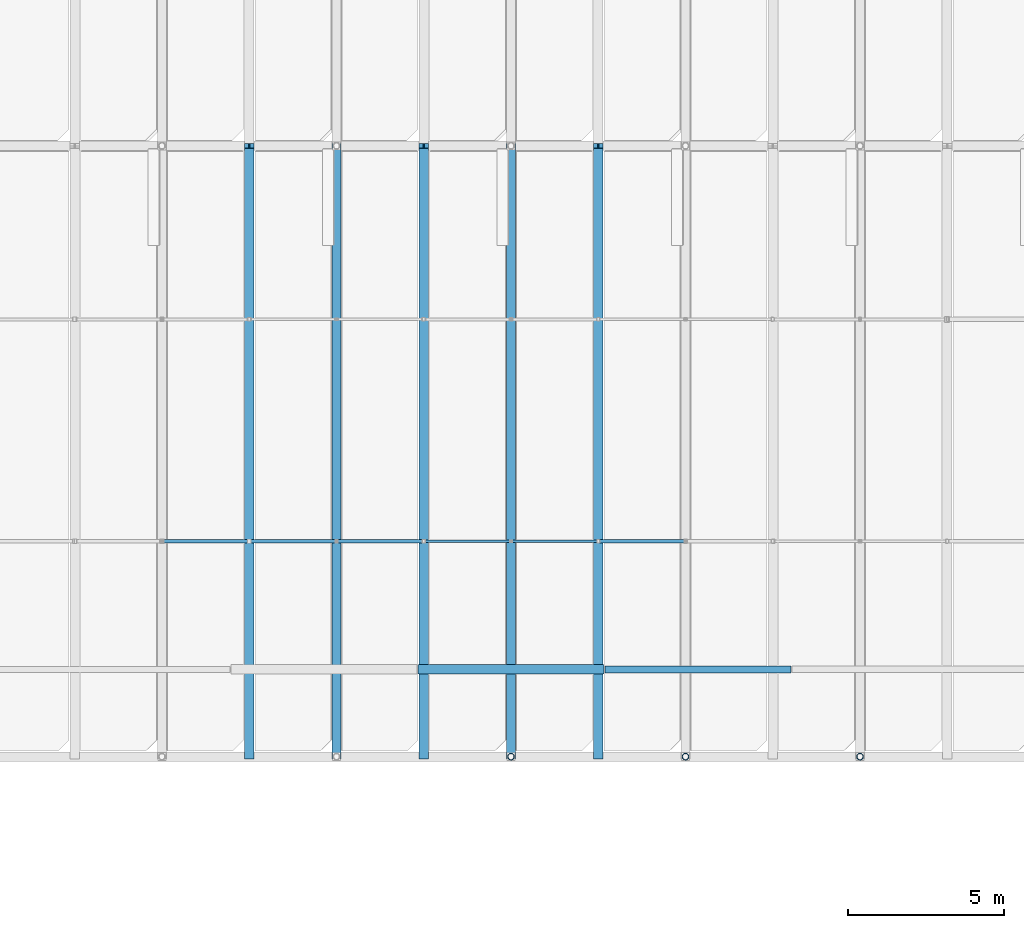
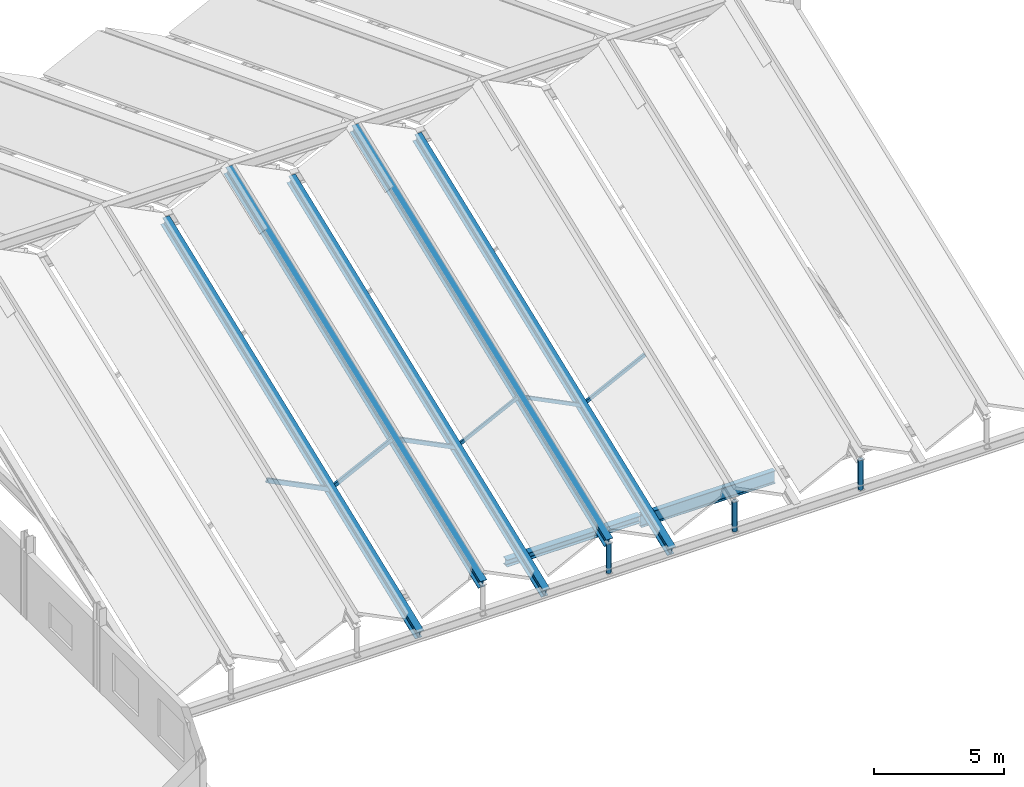
# One storey, part 13 of 49: 9 members, 7 beams.
"""IFC4 building model written with IfcOpenShell, lengths in metres."""

from ifc_helpers import new_model, si_unit, direction, frame, origin, origin_2d, place, context, subcontext, project, spatial, hollow_rectangle, hollow_circle, i_section, extrude, material, material_profile, profile_set, type_object, element, save


model = new_model("IFC4")

# Units and contexts
model_context = context("Model", 3, precision=1e-05, world=origin(), true_north=direction((0.0, 1.0)))
body_context = subcontext(model_context, "Body", "Model", "MODEL_VIEW")
ifc_project = project(units=[si_unit("LENGTHUNIT", "METRE"), si_unit("AREAUNIT", "SQUARE_METRE"), si_unit("VOLUMEUNIT", "CUBIC_METRE"), si_unit("PLANEANGLEUNIT", "RADIAN"), si_unit("MASSUNIT", "GRAM", prefix="KILO")], contexts=[model_context])

# Site, building, storey
site_placement = place(None, origin())
site = spatial("IfcSite", under=ifc_project, at=site_placement, CompositionType="ELEMENT")
building_placement = place(site_placement, origin())
building = spatial("IfcBuilding", under=site, at=building_placement, Name="Vinh Khe Railworks Police Headquarters", CompositionType="ELEMENT")
storey_placement = place(building_placement, frame((0.0, 0.0, 17.10009765625)))
storey = spatial("IfcBuildingStorey", under=building, at=storey_placement, Name="L04", CompositionType="ELEMENT", Elevation=17.10009765625)

# Members
ifc_material = material(Name="Steel S355JR", Category="steel")
ifc_material_profile_1 = material_profile(ifc_material, hollow_rectangle(XDim=0.10009765625, YDim=0.14990234375, WallThickness=0.008056640625, at=origin_2d()), Name="RHS 150x100x8")
ifc_profile_set_1 = profile_set([ifc_material_profile_1], Name="Steel S355JR")
member_type_1 = type_object("IfcMemberType", Name="Roof Purlin RHS 150x100x8", PredefinedType="PURLIN", material=ifc_profile_set_1)
member_1_placement = place(storey_placement, frame((46.0, 29.31396484375, 2.484619140625), z_axis=(0.894411593428, 0.0, 0.447244789285), x_axis=(0.0, 1.0, 0.0)))
element("IfcMember", 1, at=member_1_placement, inside=storey, type_object=member_type_1, Name="Folded Roof Purlin 033", PredefinedType="PURLIN", context=body_context, shape_type="SweptSolid", body=[
    extrude(hollow_rectangle(XDim=0.10009765625, YDim=0.14990234375, WallThickness=0.008056640625, at=origin_2d()), origin(), (0.0, 0.0, 1.0), 3.130615234375),
])
ifc_material_profile_2 = material_profile(ifc_material, hollow_rectangle(XDim=0.080078125, YDim=0.159912109375, WallThickness=0.008056640625, at=origin_2d()), Name="RHS 160x80x8")
ifc_profile_set_2 = profile_set([ifc_material_profile_2], Name="Steel S355JR")
member_type_2 = type_object("IfcMemberType", Name="Roof Purlin RHS 160x80x8", PredefinedType="PURLIN", material=ifc_profile_set_2)
for number, where, z_axis, x_axis, name in (
    (2, (40.39990234375, 29.31396484375, 2.479736328125), (0.894442788028, 0.0, 0.447182400083), (0.0, 1.0, 0.0), "Folded Roof Purlin 025"),
    (3, (43.199951171875, 29.31396484375, 3.879638671875), (0.894442788028, 0.0, -0.447182400083), (0.0, 1.0, 0.0), "Folded Roof Purlin 029"),
):
    element("IfcMember", number, at=place(storey_placement, frame(where, z_axis=z_axis, x_axis=x_axis)), inside=storey, type_object=member_type_2, Name=name, PredefinedType="PURLIN", context=body_context, shape_type="SweptSolid", body=[
        extrude(hollow_rectangle(XDim=0.080078125, YDim=0.159912109375, WallThickness=0.008056640625, at=origin_2d()), origin(), (0.0, 0.0, 1.0), 3.130615234375),
    ])
ifc_material_profile_3 = material_profile(ifc_material, hollow_rectangle(XDim=0.10009765625, YDim=0.179931640625, WallThickness=0.008056640625, at=origin_2d()), Name="RHS 180x100x8")
ifc_profile_set_3 = profile_set([ifc_material_profile_3], Name="Steel S355JR")
member_type_3 = type_object("IfcMemberType", Name="Roof Purlin RHS 180x100x8", PredefinedType="PURLIN", material=ifc_profile_set_3)
member_2_placement = place(storey_placement, frame((34.800048828125, 29.31396484375, 2.4697265625), z_axis=(0.894442788028, 0.0, 0.447182400083), x_axis=(0.0, 1.0, 0.0)))
element("IfcMember", 4, at=member_2_placement, inside=storey, type_object=member_type_3, Name="Folded Roof Purlin 017", PredefinedType="PURLIN", context=body_context, shape_type="SweptSolid", body=[
    extrude(hollow_rectangle(XDim=0.10009765625, YDim=0.179931640625, WallThickness=0.008056640625, at=origin_2d()), origin(), (0.0, 0.0, 1.0), 3.130615234375),
])
member_3_placement = place(storey_placement, frame((37.60009765625, 29.31396484375, 3.86962890625), z_axis=(0.894427191, 0.0, -0.4472135955), x_axis=(0.0, 1.0, 0.0)))
element("IfcMember", 5, at=member_3_placement, inside=storey, type_object=member_type_3, Name="Folded Roof Purlin 021", PredefinedType="PURLIN", context=body_context, shape_type="SweptSolid", body=[
    extrude(hollow_rectangle(XDim=0.10009765625, YDim=0.179931640625, WallThickness=0.008056640625, at=origin_2d()), origin(), (0.0, 0.0, 1.0), 3.13037109375),
])
ifc_material_profile_4 = material_profile(ifc_material, hollow_rectangle(XDim=0.10009765625, YDim=0.199951171875, WallThickness=0.008056640625, at=origin_2d()), Name="RHS 200x100x8")
ifc_profile_set_4 = profile_set([ifc_material_profile_4], Name="Steel S355JR")
member_type_4 = type_object("IfcMemberType", Name="Roof Purlin RHS 200x100x8", PredefinedType="PURLIN", material=ifc_profile_set_4)
member_4_placement = place(storey_placement, frame((32.0, 29.31396484375, 3.859619140625), z_axis=(0.894442788028, 0.0, -0.447182400083), x_axis=(0.0, 1.0, 0.0)))
element("IfcMember", 6, at=member_4_placement, inside=storey, type_object=member_type_4, Name="Folded Roof Purlin 013", PredefinedType="PURLIN", context=body_context, shape_type="SweptSolid", body=[
    extrude(hollow_rectangle(XDim=0.10009765625, YDim=0.199951171875, WallThickness=0.008056640625, at=origin_2d()), origin(), (0.0, 0.0, 1.0), 3.130615234375),
])
ifc_material_profile_5 = material_profile(ifc_material, hollow_circle(Radius=0.109619140625, WallThickness=0.012451171875, at=origin_2d()), Name="CHS 219.1x12.5")
ifc_profile_set_5 = profile_set([ifc_material_profile_5], Name="Steel S355JR")
member_type_5 = type_object("IfcMemberType", Name="Roof Strut CHS 219.1x12.5", PredefinedType="STRUT", material=ifc_profile_set_5)
for number, where, z_axis, x_axis, name in (
    (7, (43.199951171875, 22.39990234375, -0.191162109375), (0.0, 0.0, 1.0), (1.0, 0.0, 0.0), "Folded Roof Strut 4S"),
    (8, (48.800048828125, 22.39990234375, -0.191162109375), (0.0, 0.0, 1.0), (1.0, 0.0, 0.0), "Folded Roof Strut 5S"),
    (9, (54.39990234375, 22.39990234375, -0.191162109375), (0.0, 0.0, 1.0), (1.0, 0.0, 0.0), "Folded Roof Strut 6S"),
):
    element("IfcMember", number, at=place(storey_placement, frame(where, z_axis=z_axis, x_axis=x_axis)), inside=storey, type_object=member_type_5, Name=name, PredefinedType="STRUT", context=body_context, shape_type="SweptSolid", body=[
        extrude(hollow_circle(Radius=0.109619140625, WallThickness=0.012451171875, at=origin_2d()), origin(), (0.0, 0.0, 1.0), 1.39990234375),
    ])

# Beams
ifc_material_profile_6 = material_profile(ifc_material, i_section(OverallWidth=0.300048828125, OverallDepth=0.330078125, WebThickness=0.009521484375, FlangeThickness=0.0166015625, FilletRadius=0.027099609375, at=origin_2d()), Name="HEA 340")
ifc_profile_set_6 = profile_set([ifc_material_profile_6], Name="Steel S355JR")
beam_type_1 = type_object("IfcBeamType", Name="Steel Girder HEA 340", PredefinedType="BEAM", material=ifc_profile_set_6)
beam_1_placement = place(storey_placement, frame((40.219970703125, 25.199951171875, -0.364990234375), z_axis=(1.0, 0.0, 0.0), x_axis=(0.0, 1.0, 0.0)))
element("IfcBeam", 10, at=beam_1_placement, inside=storey, type_object=beam_type_1, Name="Girder BM-L04-EW-SB-16-1292", PredefinedType="BEAM", context=body_context, shape_type="SweptSolid", body=[
    extrude(i_section(OverallWidth=0.300048828125, OverallDepth=0.330078125, WebThickness=0.009521484375, FlangeThickness=0.0166015625, FilletRadius=0.027099609375, at=origin_2d()), origin(), (0.0, 0.0, 1.0), 5.9599609375),
])
ifc_material_profile_7 = material_profile(ifc_material, i_section(OverallWidth=0.300048828125, OverallDepth=0.43994140625, WebThickness=0.011474609375, FlangeThickness=0.02099609375, FilletRadius=0.027099609375, at=origin_2d()), Name="HEA 450")
ifc_profile_set_7 = profile_set([ifc_material_profile_7], Name="Steel S355JR")
beam_type_2 = type_object("IfcBeamType", Name="Steel Girder HEA 450", PredefinedType="BEAM", material=ifc_profile_set_7)
for number, where, z_axis, x_axis, name in (
    (11, (37.60009765625, 22.39990234375, 1.208740234375), (0.0, 0.93236035026, 0.361530326893), (-1.0, 0.0, 0.0), "Folded Roof Ridge Girder 011 (S)"),
    (12, (43.199951171875, 22.39990234375, 1.208740234375), (0.0, 0.93236035026, 0.361530326893), (-1.0, 0.0, 0.0), "Folded Roof Ridge Girder 015 (S)"),
):
    element("IfcBeam", number, at=place(storey_placement, frame(where, z_axis=z_axis, x_axis=x_axis)), inside=storey, type_object=beam_type_2, Name=name, PredefinedType="BEAM", context=body_context, shape_type="SweptSolid", body=[
        extrude(i_section(OverallWidth=0.300048828125, OverallDepth=0.43994140625, WebThickness=0.011474609375, FlangeThickness=0.02099609375, FilletRadius=0.027099609375, at=origin_2d()), origin(), (0.0, 0.0, 1.0), 21.02197265625),
    ])
ifc_material_profile_8 = material_profile(ifc_material, i_section(OverallWidth=0.300048828125, OverallDepth=0.449951171875, WebThickness=0.013916015625, FlangeThickness=0.02587890625, FilletRadius=0.027099609375, at=origin_2d()), Name="HEB 450")
ifc_profile_set_8 = profile_set([ifc_material_profile_8], Name="Steel S355JR")
beam_type_3 = type_object("IfcBeamType", Name="Steel Girder HEB 450", PredefinedType="BEAM", material=ifc_profile_set_8)
for number, where, z_axis, x_axis, name in (
    (13, (34.800048828125, 22.39990234375, -0.191162109375), (0.0, 0.932364264883, 0.361520231204), (-1.0, 0.0, 0.0), "Folded Roof Valley Girder 009 (S)"),
    (14, (40.39990234375, 22.39990234375, -0.191162109375), (0.0, 0.932364264883, 0.361520231204), (-1.0, 0.0, 0.0), "Folded Roof Valley Girder 013 (S)"),
    (15, (46.0, 22.39990234375, -0.191162109375), (0.0, 0.932364264883, 0.361520231204), (-1.0, 0.0, 0.0), "Folded Roof Valley Girder 017 (S)"),
):
    element("IfcBeam", number, at=place(storey_placement, frame(where, z_axis=z_axis, x_axis=x_axis)), inside=storey, type_object=beam_type_3, Name=name, PredefinedType="BEAM", context=body_context, shape_type="SweptSolid", body=[
        extrude(i_section(OverallWidth=0.300048828125, OverallDepth=0.449951171875, WebThickness=0.013916015625, FlangeThickness=0.02587890625, FilletRadius=0.027099609375, at=origin_2d()), origin(), (0.0, 0.0, 1.0), 21.02197265625),
    ])
ifc_material_profile_9 = material_profile(ifc_material, i_section(OverallWidth=0.219970703125, OverallDepth=0.60009765625, WebThickness=0.011962890625, FlangeThickness=0.01904296875, FilletRadius=0.02392578125, at=origin_2d()), Name="IPE 600")
ifc_profile_set_9 = profile_set([ifc_material_profile_9], Name="Steel S355JR")
beam_type_4 = type_object("IfcBeamType", Name="Steel Girder IPE 600", PredefinedType="BEAM", material=ifc_profile_set_9)
beam_2_placement = place(storey_placement, frame((46.219970703125, 25.199951171875, -0.5), z_axis=(1.0, 0.0, 0.0), x_axis=(0.0, 1.0, 0.0)))
element("IfcBeam", 16, at=beam_2_placement, inside=storey, type_object=beam_type_4, Name="Girder BM-L04-EW-SB-17-1293", PredefinedType="BEAM", context=body_context, shape_type="SweptSolid", body=[
    extrude(i_section(OverallWidth=0.219970703125, OverallDepth=0.60009765625, WebThickness=0.011962890625, FlangeThickness=0.01904296875, FilletRadius=0.02392578125, at=origin_2d()), origin(), (0.0, 0.0, 1.0), 5.9599609375),
])

save(model, "model.ifc")
